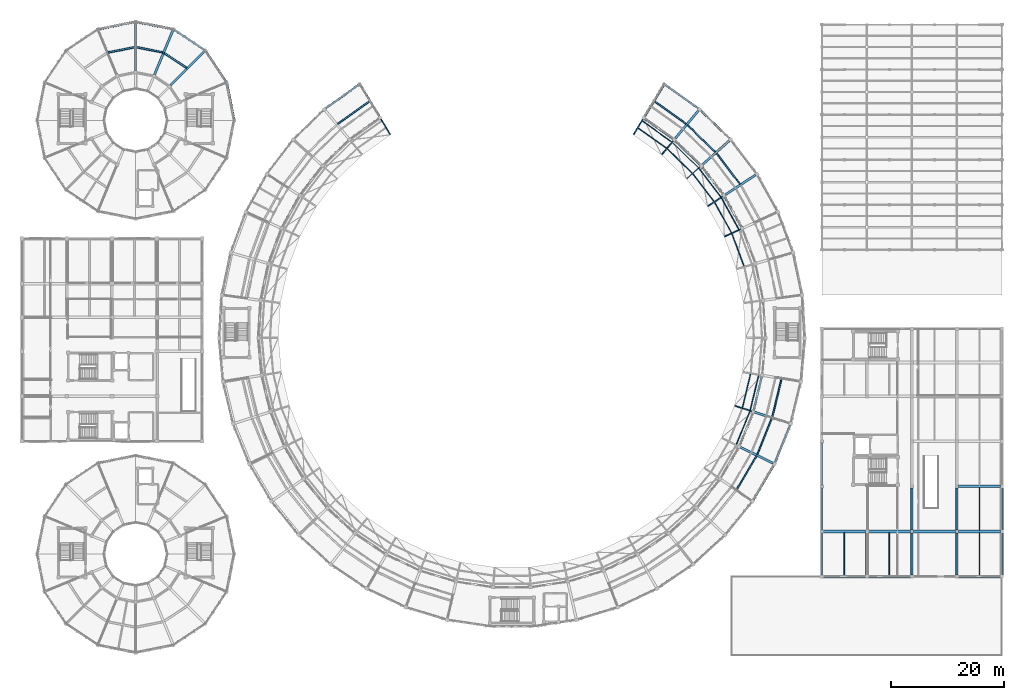
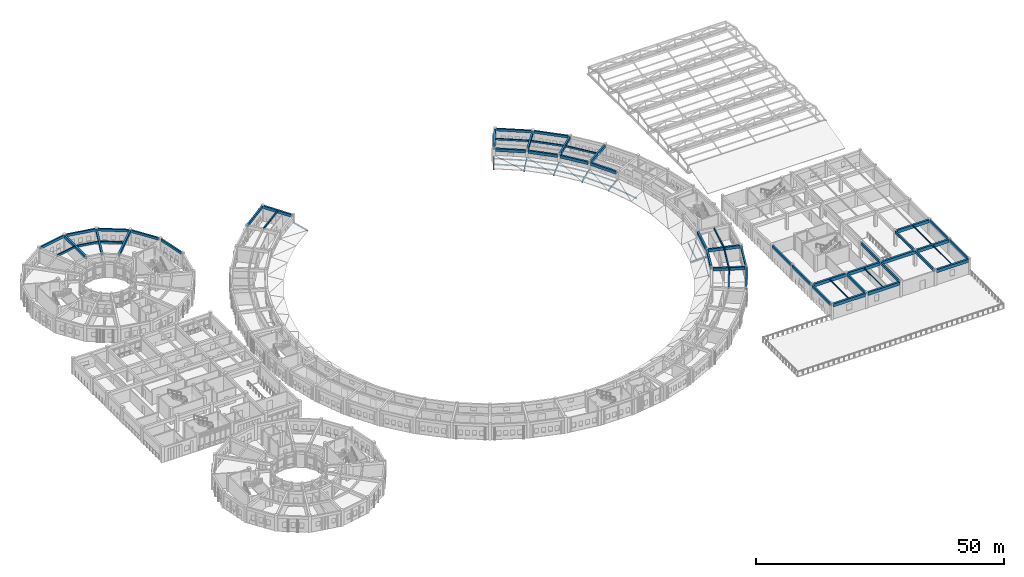
# One storey, part 35 of 112: 58 beams, 19 members.
"""IFC4 building model written with IfcOpenShell, lengths in metres."""

from ifc_helpers import new_model, si_unit, direction, frame, origin, origin_2d, place, context, subcontext, project, spatial, rectangle, i_section, extrude, material, material_profile, profile_set, type_object, element, save


model = new_model("IFC4")

# Units and contexts
model_context = context("Model", 3, precision=1e-05, world=origin(), true_north=direction((0.0, 1.0)))
body_context = subcontext(model_context, "Body", "Model", "MODEL_VIEW")
ifc_project = project(units=[si_unit("LENGTHUNIT", "METRE"), si_unit("AREAUNIT", "SQUARE_METRE"), si_unit("VOLUMEUNIT", "CUBIC_METRE"), si_unit("PLANEANGLEUNIT", "RADIAN"), si_unit("MASSUNIT", "GRAM", prefix="KILO")], contexts=[model_context])

# Site, building, storey
site_placement = place(None, origin())
site = spatial("IfcSite", under=ifc_project, at=site_placement, CompositionType="ELEMENT")
building_placement = place(site_placement, origin())
building = spatial("IfcBuilding", under=site, at=building_placement, Name="Celadon Cloister-Ring School", CompositionType="ELEMENT")
storey_placement = place(building_placement, frame((0.0, 0.0, 8.5)))
storey = spatial("IfcBuildingStorey", under=building, at=storey_placement, Name="L02", CompositionType="ELEMENT", Elevation=8.5)

# Beams
ifc_material_1 = material(Name="Concrete C35/45", Category="concrete")
ifc_material_profile_1 = material_profile(ifc_material_1, rectangle(XDim=0.35009765625, YDim=0.60009765625, at=origin_2d()), Name="RC350X600")
ifc_profile_set_1 = profile_set([ifc_material_profile_1], Name="Concrete C35/45")
beam_type_1 = type_object("IfcBeamType", Name="BT-02", PredefinedType="BEAM", material=ifc_profile_set_1)
for number, where, z_axis, x_axis, name in (
    (1, (142.0, 16.25, 3.4599609375), (0.0, 1.0, 0.0), (-1.0, 0.0, 0.0), "Beam 1400"),
    (2, (142.0, 24.25, 3.4599609375), (0.0, 1.0, 0.0), (-1.0, 0.0, 0.0), "Beam 1401"),
    (3, (142.0, 32.25, 3.4599609375), (0.0, 1.0, 0.0), (-1.0, 0.0, 0.0), "Beam 1402"),
    (4, (150.0, 16.25, 3.4599609375), (0.0, 1.0, 0.0), (-1.0, 0.0, 0.0), "Beam 1406"),
    (5, (158.0, 16.25, 3.4599609375), (0.0, 1.0, 0.0), (-1.0, 0.0, 0.0), "Beam 1408"),
    (6, (158.0, 24.25, 3.4599609375), (0.0, 1.0, 0.0), (-1.0, 0.0, 0.0), "Beam 1409"),
    (7, (166.0, 16.25, 3.4599609375), (0.0, 1.0, 0.0), (-1.0, 0.0, 0.0), "Beam 1414"),
    (8, (166.0, 24.25, 3.4599609375), (0.0, 1.0, 0.0), (-1.0, 0.0, 0.0), "Beam 1415"),
    (9, (174.0, 16.25, 3.4599609375), (0.0, 1.0, 0.0), (-1.0, 0.0, 0.0), "Beam 1420"),
    (10, (174.0, 24.25, 3.4599609375), (0.0, 1.0, 0.0), (-1.0, 0.0, 0.0), "Beam 1421"),
):
    element("IfcBeam", number, at=place(storey_placement, frame(where, z_axis=z_axis, x_axis=x_axis)), inside=storey, type_object=beam_type_1, Name=name, PredefinedType="BEAM", context=body_context, shape_type="SweptSolid", body=[
        extrude(rectangle(XDim=0.35009765625, YDim=0.60009765625, at=origin_2d()), origin(), (0.0, 0.0, 1.0), 7.5),
    ])
ifc_material_2 = material(Name="Concrete C35/45", Category="concrete")
ifc_material_profile_2 = material_profile(ifc_material_2, rectangle(XDim=0.449951171875, YDim=0.75, at=origin_2d()), Name="RC450X750")
ifc_profile_set_2 = profile_set([ifc_material_profile_2], Name="Concrete C35/45")
beam_type_2 = type_object("IfcBeamType", Name="GT-02", PredefinedType="USERDEFINED", material=ifc_profile_set_2)
for number, where, z_axis, x_axis, name in (
    (11, (142.25, 16.0, 3.385009765625), (1.0, 0.0, 0.0), (0.0, 1.0, 0.0), "Beam 1380"),
    (12, (150.25, 16.0, 3.385009765625), (1.0, 0.0, 0.0), (0.0, 1.0, 0.0), "Beam 1381"),
    (13, (166.25, 16.0, 3.385009765625), (1.0, 0.0, 0.0), (0.0, 1.0, 0.0), "Beam 1382"),
    (14, (142.25, 24.0, 3.385009765625), (1.0, 0.0, 0.0), (0.0, 1.0, 0.0), "Beam 1383"),
    (15, (150.25, 24.0, 3.385009765625), (1.0, 0.0, 0.0), (0.0, 1.0, 0.0), "Beam 1384"),
    (16, (158.25, 24.0, 3.385009765625), (1.0, 0.0, 0.0), (0.0, 1.0, 0.0), "Beam 1385"),
    (17, (166.25, 24.0, 3.385009765625), (1.0, 0.0, 0.0), (0.0, 1.0, 0.0), "Beam 1386"),
    (18, (166.25, 32.0, 3.385009765625), (1.0, 0.0, 0.0), (0.0, 1.0, 0.0), "Beam 1387"),
):
    element("IfcBeam", number, at=place(storey_placement, frame(where, z_axis=z_axis, x_axis=x_axis)), inside=storey, type_object=beam_type_2, Name=name, ObjectType="GIRDER", PredefinedType="USERDEFINED", context=body_context, shape_type="SweptSolid", body=[
        extrude(rectangle(XDim=0.449951171875, YDim=0.75, at=origin_2d()), origin(), (0.0, 0.0, 1.0), 7.5),
    ])
ifc_material_3 = material(Name="Concrete C35/45", Category="concrete")
ifc_material_profile_3 = material_profile(ifc_material_3, rectangle(XDim=0.39990234375, YDim=0.699951171875, at=origin_2d()), Name="RC400X700")
ifc_profile_set_3 = profile_set([ifc_material_profile_3], Name="Concrete C35/45")
beam_type_3 = type_object("IfcBeamType", Name="GT-03", PredefinedType="USERDEFINED", material=ifc_profile_set_3)
beam_1_placement = place(storey_placement, frame((60.112060546875, 103.18701171875, 3.449951171875), z_axis=(0.519864405464, -0.85424879276, 0.0), x_axis=(0.85424879276, 0.519864405464, 0.0)))
element("IfcBeam", 19, at=beam_1_placement, inside=storey, type_object=beam_type_3, Name="Beam 0397", ObjectType="GIRDER", PredefinedType="USERDEFINED", context=body_context, shape_type="SweptSolid", body=[
    extrude(rectangle(XDim=0.39990234375, YDim=0.699951171875, at=origin_2d()), origin(), (0.0, 0.0, 1.0), 6.474609375),
])
beam_2_placement = place(storey_placement, frame((133.3779296875, 36.09912109375, 3.449951171875), z_axis=(-0.896670978235, 0.442697590676, 0.0), x_axis=(-0.442697590676, -0.896670978235, 0.0)))
element("IfcBeam", 20, at=beam_2_placement, inside=storey, type_object=beam_type_3, Name="Beam 0419", ObjectType="GIRDER", PredefinedType="USERDEFINED", context=body_context, shape_type="SweptSolid", body=[
    extrude(rectangle(XDim=0.39990234375, YDim=0.699951171875, at=origin_2d()), origin(), (0.0, 0.0, 1.0), 6.473876953125),
])
beam_3_placement = place(storey_placement, frame((136.2529296875, 43.201904296875, 3.449951171875), z_axis=(-0.952190069452, 0.305506254661, 0.0), x_axis=(-0.305506254661, -0.952190069452, 0.0)))
element("IfcBeam", 21, at=beam_3_placement, inside=storey, type_object=beam_type_3, Name="Beam 0420", ObjectType="GIRDER", PredefinedType="USERDEFINED", context=body_context, shape_type="SweptSolid", body=[
    extrude(rectangle(XDim=0.39990234375, YDim=0.699951171875, at=origin_2d()), origin(), (0.0, 0.0, 1.0), 6.474609375),
])
beam_4_placement = place(storey_placement, frame((130.285888671875, 87.31591796875, 3.449951171875), z_axis=(-0.836913813129, -0.547334695953, 0.0), x_axis=(0.547334695953, -0.836913813129, 0.0)))
element("IfcBeam", 22, at=beam_4_placement, inside=storey, type_object=beam_type_3, Name="Beam 0425", ObjectType="GIRDER", PredefinedType="USERDEFINED", context=body_context, shape_type="SweptSolid", body=[
    extrude(rectangle(XDim=0.39990234375, YDim=0.699951171875, at=origin_2d()), origin(), (0.0, 0.0, 1.0), 6.474853515625),
])
beam_5_placement = place(storey_placement, frame((125.626953125, 93.40087890625, 3.449951171875), z_axis=(-0.746707851449, -0.665152151455, 0.0), x_axis=(0.665152151455, -0.746707851449, 0.0)))
element("IfcBeam", 23, at=beam_5_placement, inside=storey, type_object=beam_type_3, Name="Beam 0426", ObjectType="GIRDER", PredefinedType="USERDEFINED", context=body_context, shape_type="SweptSolid", body=[
    extrude(rectangle(XDim=0.39990234375, YDim=0.699951171875, at=origin_2d()), origin(), (0.0, 0.0, 1.0), 6.47509765625),
])
for number, where, z_axis, x_axis, name in (
    (24, (120.12109375, 98.72998046875, 3.449951171875), (-0.640358705807, -0.768075990965, 0.0), (0.768075990965, -0.640358705807, 0.0), "Beam 0427"),
    (25, (113.887939453125, 103.18701171875, 3.449951171875), (-0.519864405464, -0.85424879276, 0.0), (0.85424879276, -0.519864405464, 0.0), "Beam 0428"),
):
    element("IfcBeam", number, at=place(storey_placement, frame(where, z_axis=z_axis, x_axis=x_axis)), inside=storey, type_object=beam_type_3, Name=name, ObjectType="GIRDER", PredefinedType="USERDEFINED", context=body_context, shape_type="SweptSolid", body=[
        extrude(rectangle(XDim=0.39990234375, YDim=0.699951171875, at=origin_2d()), origin(), (0.0, 0.0, 1.0), 6.474609375),
    ])
for number, where, z_axis, x_axis, name in (
    (26, (127.443115234375, 39.30810546875, 3.449951171875), (0.375114995273, 0.926978284709, 0.0), (-0.926978284709, 0.375114995273, 0.0), "Beam 0497"),
    (27, (129.908935546875, 45.4990234375, 3.449951171875), (0.233889575607, 0.972263167266, 0.0), (-0.972263167266, 0.233889575607, 0.0), "Beam 0500"),
    (28, (127.762939453125, 78.02001953125, 3.449951171875), (-0.483920761049, 0.875111819727, 0.0), (-0.875111819727, -0.483920761049, 0.0), "Beam 0513"),
):
    element("IfcBeam", number, at=place(storey_placement, frame(where, z_axis=z_axis, x_axis=x_axis)), inside=storey, type_object=beam_type_3, Name=name, ObjectType="GIRDER", PredefinedType="USERDEFINED", context=body_context, shape_type="SweptSolid", body=[
        extrude(rectangle(XDim=0.39990234375, YDim=0.699951171875, at=origin_2d()), origin(), (0.0, 0.0, 1.0), 6.166015625),
    ])
beam_6_placement = place(storey_placement, frame((124.506103515625, 83.8330078125, 3.449951171875), z_axis=(-0.607887885185, 0.794022870606, 0.0), x_axis=(-0.794022870606, -0.607887885185, 0.0)))
element("IfcBeam", 29, at=beam_6_placement, inside=storey, type_object=beam_type_3, Name="Beam 0516", ObjectType="GIRDER", PredefinedType="USERDEFINED", context=body_context, shape_type="SweptSolid", body=[
    extrude(rectangle(XDim=0.39990234375, YDim=0.699951171875, at=origin_2d()), origin(), (0.0, 0.0, 1.0), 6.167236328125),
])
beam_7_placement = place(storey_placement, frame((120.425048828125, 89.10205078125, 3.449951171875), z_axis=(-0.718437447035, 0.695591571756, 0.0), x_axis=(-0.695591571756, -0.718437447035, 0.0)))
element("IfcBeam", 30, at=beam_7_placement, inside=storey, type_object=beam_type_3, Name="Beam 0519", ObjectType="GIRDER", PredefinedType="USERDEFINED", context=body_context, shape_type="SweptSolid", body=[
    extrude(rectangle(XDim=0.39990234375, YDim=0.699951171875, at=origin_2d()), origin(), (0.0, 0.0, 1.0), 6.166015625),
])
beam_8_placement = place(storey_placement, frame((115.612060546875, 93.7099609375, 3.449951171875), z_axis=(-0.813463245268, 0.58161632422, 0.0), x_axis=(-0.58161632422, -0.813463245268, 0.0)))
element("IfcBeam", 31, at=beam_8_placement, inside=storey, type_object=beam_type_3, Name="Beam 0522", ObjectType="GIRDER", PredefinedType="USERDEFINED", context=body_context, shape_type="SweptSolid", body=[
    extrude(rectangle(XDim=0.39990234375, YDim=0.699951171875, at=origin_2d()), origin(), (0.0, 0.0, 1.0), 6.16748046875),
])
beam_9_placement = place(storey_placement, frame((32.3798828125, 109.179931640625, 3.429931640625), z_axis=(-0.707106781187, -0.707106781187, 0.0), x_axis=(0.707106781187, -0.707106781187, 0.0)))
element("IfcBeam", 32, at=beam_9_placement, inside=storey, type_object=beam_type_3, Name="Beam 0735", ObjectType="GIRDER", PredefinedType="USERDEFINED", context=body_context, shape_type="SweptSolid", body=[
    extrude(rectangle(XDim=0.39990234375, YDim=0.699951171875, at=origin_2d()), origin(), (0.0, 0.0, 1.0), 8.475341796875),
])
for number, where, z_axis, x_axis, name in (
    (33, (26.7919921875, 112.9140625, 3.429931640625), (-0.382642680076, -0.923896411609, 0.0), (0.923896411609, -0.382642680076, 0.0), "Beam 0737"),
    (34, (20.199951171875, 114.22509765625, 3.429931640625), (0.0, -1.0, 0.0), (1.0, 0.0, 0.0), "Beam 0739"),
):
    element("IfcBeam", number, at=place(storey_placement, frame(where, z_axis=z_axis, x_axis=x_axis)), inside=storey, type_object=beam_type_3, Name=name, ObjectType="GIRDER", PredefinedType="USERDEFINED", context=body_context, shape_type="SweptSolid", body=[
        extrude(rectangle(XDim=0.39990234375, YDim=0.699951171875, at=origin_2d()), origin(), (0.0, 0.0, 1.0), 8.47509765625),
    ])
ifc_material_4 = material(Name="Concrete C35/45", Category="concrete")
ifc_material_profile_4 = material_profile(ifc_material_4, rectangle(XDim=0.300048828125, YDim=0.449951171875, at=origin_2d()), Name="RC300X450")
ifc_profile_set_4 = profile_set([ifc_material_profile_4], Name="Concrete C35/45")
beam_type_4 = type_object("IfcBeamType", Name="JT-01", PredefinedType="JOIST", material=ifc_profile_set_4)
beam_10_placement = place(storey_placement, frame((29.24609375, 106.2890625, 3.554931640625), z_axis=(-0.831333623542, 0.55577370068, 0.0), x_axis=(-0.55577370068, -0.831333623542, 0.0)))
element("IfcBeam", 35, at=beam_10_placement, inside=storey, type_object=beam_type_4, Name="Beam 0766", PredefinedType="JOIST", context=body_context, shape_type="SweptSolid", body=[
    extrude(rectangle(XDim=0.300048828125, YDim=0.449951171875, at=origin_2d()), origin(), (0.0, 0.0, 1.0), 4.721435546875),
])
beam_11_placement = place(storey_placement, frame((25.0029296875, 109.0439453125, 3.554931640625), z_axis=(-0.980745387492, 0.195290770169, 0.0), x_axis=(-0.195290770169, -0.980745387492, 0.0)))
element("IfcBeam", 36, at=beam_11_placement, inside=storey, type_object=beam_type_4, Name="Beam 0770", PredefinedType="JOIST", context=body_context, shape_type="SweptSolid", body=[
    extrude(rectangle(XDim=0.300048828125, YDim=0.449951171875, at=origin_2d()), origin(), (0.0, 0.0, 1.0), 4.7216796875),
])
beam_12_placement = place(storey_placement, frame((20.028076171875, 109.966064453125, 3.554931640625), z_axis=(-0.980747359302, -0.195280867525, 0.0), x_axis=(0.195280867525, -0.980747359302, 0.0)))
element("IfcBeam", 37, at=beam_12_placement, inside=storey, type_object=beam_type_4, Name="Beam 0774", PredefinedType="JOIST", context=body_context, shape_type="SweptSolid", body=[
    extrude(rectangle(XDim=0.300048828125, YDim=0.449951171875, at=origin_2d()), origin(), (0.0, 0.0, 1.0), 4.721923828125),
])
ifc_material_5 = material(Name="Concrete C35/45", Category="concrete")
ifc_material_profile_5 = material_profile(ifc_material_5, rectangle(XDim=0.25, YDim=0.39990234375, at=origin_2d()), Name="RC250X400")
ifc_profile_set_5 = profile_set([ifc_material_profile_5], Name="Concrete C35/45")
beam_type_5 = type_object("IfcBeamType", Name="JT-02", PredefinedType="JOIST", material=ifc_profile_set_5)
beam_13_placement = place(storey_placement, frame((61.64697265625, 100.330078125, 3.60009765625), z_axis=(-0.813530711364, -0.581521952868, 0.0), x_axis=(0.581521952868, -0.813530711364, 0.0)))
element("IfcBeam", 38, at=beam_13_placement, inside=storey, type_object=beam_type_5, Name="Beam 0431", PredefinedType="JOIST", context=body_context, shape_type="SweptSolid", body=[
    extrude(rectangle(XDim=0.25, YDim=0.39990234375, at=origin_2d()), origin(), (0.0, 0.0, 1.0), 6.835693359375),
])
beam_14_placement = place(storey_placement, frame((126.926025390625, 31.488037109375, 3.60009765625), z_axis=(0.507998611561, 0.861357887671, 0.0), x_axis=(-0.861357887671, 0.507998611561, 0.0)))
element("IfcBeam", 39, at=beam_14_placement, inside=storey, type_object=beam_type_5, Name="Beam 0495", PredefinedType="JOIST", context=body_context, shape_type="SweptSolid", body=[
    extrude(rectangle(XDim=0.25, YDim=0.39990234375, at=origin_2d()), origin(), (0.0, 0.0, 1.0), 6.83447265625),
])
beam_15_placement = place(storey_placement, frame((130.552978515625, 37.68798828125, 3.60009765625), z_axis=(0.374947237953, 0.927046152439, 0.0), x_axis=(-0.927046152439, 0.374947237953, 0.0)))
element("IfcBeam", 40, at=beam_15_placement, inside=storey, type_object=beam_type_5, Name="Beam 0498", PredefinedType="JOIST", context=body_context, shape_type="SweptSolid", body=[
    extrude(rectangle(XDim=0.25, YDim=0.39990234375, at=origin_2d()), origin(), (0.0, 0.0, 1.0), 6.835693359375),
])
beam_16_placement = place(storey_placement, frame((133.222900390625, 44.35693359375, 3.60009765625), z_axis=(0.234105107491, 0.972211293211, 0.0), x_axis=(-0.972211293211, 0.234105107491, 0.0)))
element("IfcBeam", 41, at=beam_16_placement, inside=storey, type_object=beam_type_5, Name="Beam 0501", PredefinedType="JOIST", context=body_context, shape_type="SweptSolid", body=[
    extrude(rectangle(XDim=0.25, YDim=0.39990234375, at=origin_2d()), origin(), (0.0, 0.0, 1.0), 6.8349609375),
])
beam_17_placement = place(storey_placement, frame((127.48095703125, 85.68994140625, 3.60009765625), z_axis=(-0.607998808463, 0.793937937692, 0.0), x_axis=(-0.793937937692, -0.607998808463, 0.0)))
element("IfcBeam", 42, at=beam_17_placement, inside=storey, type_object=beam_type_5, Name="Beam 0517", PredefinedType="JOIST", context=body_context, shape_type="SweptSolid", body=[
    extrude(rectangle(XDim=0.25, YDim=0.39990234375, at=origin_2d()), origin(), (0.0, 0.0, 1.0), 6.83544921875),
])
beam_18_placement = place(storey_placement, frame((123.093017578125, 91.3779296875, 3.60009765625), z_axis=(-0.718568166396, 0.695456533683, 0.0), x_axis=(-0.695456533683, -0.718568166396, 0.0)))
element("IfcBeam", 43, at=beam_18_placement, inside=storey, type_object=beam_type_5, Name="Beam 0520", PredefinedType="JOIST", context=body_context, shape_type="SweptSolid", body=[
    extrude(rectangle(XDim=0.25, YDim=0.39990234375, at=origin_2d()), origin(), (0.0, 0.0, 1.0), 6.834716796875),
])
beam_19_placement = place(storey_placement, frame((117.9140625, 96.35498046875, 3.60009765625), z_axis=(-0.813530711364, 0.581521952868, 0.0), x_axis=(-0.581521952868, -0.813530711364, 0.0)))
element("IfcBeam", 44, at=beam_19_placement, inside=storey, type_object=beam_type_5, Name="Beam 0523", PredefinedType="JOIST", context=body_context, shape_type="SweptSolid", body=[
    extrude(rectangle(XDim=0.25, YDim=0.39990234375, at=origin_2d()), origin(), (0.0, 0.0, 1.0), 6.835693359375),
])
ifc_material_6 = material(Name="Structural steel S355JR", Category="steel")
ifc_material_profile_6 = material_profile(ifc_material_6, i_section(OverallWidth=0.14599609375, OverallDepth=0.258056640625, WebThickness=0.006103515625, FlangeThickness=0.009033203125, at=origin_2d()), Name="W250X33")
ifc_profile_set_6 = profile_set([ifc_material_profile_6], Name="Structural steel S355JR")
beam_type_6 = type_object("IfcBeamType", Name="JT-04", PredefinedType="JOIST", material=ifc_profile_set_6)
for number, where, z_axis, x_axis, name in (
    (45, (146.0, 16.199951171875, 3.631103515625), (0.0, 1.0, 0.0), (-1.0, 0.0, 0.0), "Beam 1426"),
    (46, (154.0, 16.199951171875, 3.631103515625), (0.0, 1.0, 0.0), (-1.0, 0.0, 0.0), "Beam 1428"),
    (47, (170.0, 16.199951171875, 3.631103515625), (0.0, 1.0, 0.0), (-1.0, 0.0, 0.0), "Beam 1433"),
    (48, (170.0, 24.199951171875, 3.631103515625), (0.0, 1.0, 0.0), (-1.0, 0.0, 0.0), "Beam 1434"),
):
    element("IfcBeam", number, at=place(storey_placement, frame(where, z_axis=z_axis, x_axis=x_axis)), inside=storey, type_object=beam_type_6, Name=name, PredefinedType="JOIST", context=body_context, shape_type="SweptSolid", body=[
        extrude(i_section(OverallWidth=0.14599609375, OverallDepth=0.258056640625, WebThickness=0.006103515625, FlangeThickness=0.009033203125, at=origin_2d()), origin(), (0.0, 0.0, 1.0), 7.60009765625),
    ])

# Members
ifc_material_7 = material(Name="Structural steel S355JR", Category="steel")
ifc_material_profile_7 = material_profile(ifc_material_7, i_section(OverallWidth=0.133056640625, OverallDepth=0.20703125, WebThickness=0.005859375, FlangeThickness=0.00830078125, at=origin_2d()), Name="W200X27")
ifc_profile_set_7 = profile_set([ifc_material_profile_7], Name="Structural steel S355JR")
member_type_1 = type_object("IfcMemberType", Name="MP-04", PredefinedType="PURLIN", material=ifc_profile_set_7)
member_1_placement = place(storey_placement, frame((126.81103515625, 39.342041015625, 1.62890625), z_axis=(0.375093275843, 0.92698707349, 0.0), x_axis=(-0.92698707349, 0.375093275843, 0.0)))
element("IfcMember", 49, at=member_1_placement, inside=storey, type_object=member_type_1, Name="Structural Member 0204", PredefinedType="PURLIN", context=body_context, shape_type="SweptSolid", body=[
    extrude(i_section(OverallWidth=0.133056640625, OverallDepth=0.20703125, WebThickness=0.005859375, FlangeThickness=0.00830078125, at=origin_2d()), origin(), (0.0, 0.0, 1.0), 6.5771484375),
])
member_2_placement = place(storey_placement, frame((127.89794921875, 45.882080078125, 1.23291015625), z_axis=(0.234021599775, 0.972231397785, 0.0), x_axis=(-0.972231397785, 0.234021599775, 0.0)))
element("IfcMember", 50, at=member_2_placement, inside=storey, type_object=member_type_1, Name="Structural Member 0209", PredefinedType="PURLIN", context=body_context, shape_type="SweptSolid", body=[
    extrude(i_section(OverallWidth=0.133056640625, OverallDepth=0.20703125, WebThickness=0.005859375, FlangeThickness=0.00830078125, at=origin_2d()), origin(), (0.0, 0.0, 1.0), 6.36279296875),
])
member_3_placement = place(storey_placement, frame((129.278076171875, 45.43896484375, 1.62890625), z_axis=(0.234125302045, 0.97220643021, 0.0), x_axis=(-0.97220643021, 0.234125302045, 0.0)))
element("IfcMember", 51, at=member_3_placement, inside=storey, type_object=member_type_1, Name="Structural Member 0210", PredefinedType="PURLIN", context=body_context, shape_type="SweptSolid", body=[
    extrude(i_section(OverallWidth=0.133056640625, OverallDepth=0.20703125, WebThickness=0.005859375, FlangeThickness=0.00830078125, at=origin_2d()), origin(), (0.0, 0.0, 1.0), 6.577880859375),
])
for number, where, z_axis, x_axis, name in (
    (52, (128.2451171875, 70.98291015625, 1.23291015625), (-0.349377881864, 0.936981907864, 0.0), (-0.936981907864, -0.349377881864, 0.0), "Structural Member 0229"),
    (53, (126.02197265625, 76.945068359375, 1.23291015625), (-0.484058884886, 0.875035425547, 0.0), (-0.875035425547, -0.484058884886, 0.0), "Structural Member 0235"),
):
    element("IfcMember", number, at=place(storey_placement, frame(where, z_axis=z_axis, x_axis=x_axis)), inside=storey, type_object=member_type_1, Name=name, PredefinedType="PURLIN", context=body_context, shape_type="SweptSolid", body=[
        extrude(i_section(OverallWidth=0.133056640625, OverallDepth=0.20703125, WebThickness=0.005859375, FlangeThickness=0.00830078125, at=origin_2d()), origin(), (0.0, 0.0, 1.0), 6.363037109375),
    ])
member_4_placement = place(storey_placement, frame((127.339111328125, 77.550048828125, 1.62890625), z_axis=(-0.483883617115, 0.875132358611, 0.0), x_axis=(-0.875132358611, -0.483883617115, 0.0)))
element("IfcMember", 54, at=member_4_placement, inside=storey, type_object=member_type_1, Name="Structural Member 0236", PredefinedType="PURLIN", context=body_context, shape_type="SweptSolid", body=[
    extrude(i_section(OverallWidth=0.133056640625, OverallDepth=0.20703125, WebThickness=0.005859375, FlangeThickness=0.00830078125, at=origin_2d()), origin(), (0.0, 0.0, 1.0), 6.578125),
])
member_5_placement = place(storey_placement, frame((122.94189453125, 82.512939453125, 1.23291015625), z_axis=(-0.607908612819, 0.794007001519, 0.0), x_axis=(-0.794007001519, -0.607908612819, 0.0)))
element("IfcMember", 55, at=member_5_placement, inside=storey, type_object=member_type_1, Name="Structural Member 0240", PredefinedType="PURLIN", context=body_context, shape_type="SweptSolid", body=[
    extrude(i_section(OverallWidth=0.133056640625, OverallDepth=0.20703125, WebThickness=0.005859375, FlangeThickness=0.00830078125, at=origin_2d()), origin(), (0.0, 0.0, 1.0), 6.362548828125),
])
member_6_placement = place(storey_placement, frame((124.156005859375, 83.306884765625, 1.62890625), z_axis=(-0.607987283215, 0.793946763612, 0.0), x_axis=(-0.793946763612, -0.607987283215, 0.0)))
element("IfcMember", 56, at=member_6_placement, inside=storey, type_object=member_type_1, Name="Structural Member 0241", PredefinedType="PURLIN", context=body_context, shape_type="SweptSolid", body=[
    extrude(i_section(OverallWidth=0.133056640625, OverallDepth=0.20703125, WebThickness=0.005859375, FlangeThickness=0.00830078125, at=origin_2d()), origin(), (0.0, 0.0, 1.0), 6.577392578125),
])
member_7_placement = place(storey_placement, frame((119.073974609375, 87.56494140625, 1.23291015625), z_axis=(-0.71856193518, 0.695462971919, 0.0), x_axis=(-0.695462971919, -0.71856193518, 0.0)))
element("IfcMember", 57, at=member_7_placement, inside=storey, type_object=member_type_1, Name="Structural Member 0245", PredefinedType="PURLIN", context=body_context, shape_type="SweptSolid", body=[
    extrude(i_section(OverallWidth=0.133056640625, OverallDepth=0.20703125, WebThickness=0.005859375, FlangeThickness=0.00830078125, at=origin_2d()), origin(), (0.0, 0.0, 1.0), 6.36279296875),
])
member_8_placement = place(storey_placement, frame((120.156982421875, 88.529052734375, 1.62890625), z_axis=(-0.718572826018, 0.695451719179, 0.0), x_axis=(-0.695451719179, -0.718572826018, 0.0)))
element("IfcMember", 58, at=member_8_placement, inside=storey, type_object=member_type_1, Name="Structural Member 0246", PredefinedType="PURLIN", context=body_context, shape_type="SweptSolid", body=[
    extrude(i_section(OverallWidth=0.133056640625, OverallDepth=0.20703125, WebThickness=0.005859375, FlangeThickness=0.00830078125, at=origin_2d()), origin(), (0.0, 0.0, 1.0), 6.578369140625),
])
member_9_placement = place(storey_placement, frame((114.501953125, 91.989990234375, 1.23291015625), z_axis=(-0.813453389474, 0.581630108534, 0.0), x_axis=(-0.581630108534, -0.813453389474, 0.0)))
element("IfcMember", 59, at=member_9_placement, inside=storey, type_object=member_type_1, Name="Structural Member 0250", PredefinedType="PURLIN", context=body_context, shape_type="SweptSolid", body=[
    extrude(i_section(OverallWidth=0.133056640625, OverallDepth=0.20703125, WebThickness=0.005859375, FlangeThickness=0.00830078125, at=origin_2d()), origin(), (0.0, 0.0, 1.0), 6.363037109375),
])
member_10_placement = place(storey_placement, frame((115.429931640625, 93.10400390625, 1.62890625), z_axis=(-0.813402272309, 0.581701593089, 0.0), x_axis=(-0.581701593089, -0.813402272309, 0.0)))
element("IfcMember", 60, at=member_10_placement, inside=storey, type_object=member_type_1, Name="Structural Member 0251", PredefinedType="PURLIN", context=body_context, shape_type="SweptSolid", body=[
    extrude(i_section(OverallWidth=0.133056640625, OverallDepth=0.20703125, WebThickness=0.005859375, FlangeThickness=0.00830078125, at=origin_2d()), origin(), (0.0, 0.0, 1.0), 6.5771484375),
])
ifc_material_8 = material(Name="Structural steel S355JR", Category="steel")
ifc_material_profile_8 = material_profile(ifc_material_8, i_section(OverallWidth=0.14599609375, OverallDepth=0.258056640625, WebThickness=0.006103515625, FlangeThickness=0.009033203125, at=origin_2d()), Name="W250X33")
ifc_profile_set_8 = profile_set([ifc_material_profile_8], Name="Structural steel S355JR")
member_type_2 = type_object("IfcMemberType", Name="MR-06", PredefinedType="RAFTER", material=ifc_profile_set_8)
member_11_placement = place(storey_placement, frame((65.3759765625, 94.5380859375, 0.9130859375), z_axis=(-0.502250890694, 0.825141547402, 0.258622252615), x_axis=(-0.854202777123, -0.519940011497, 0.0)))
element("IfcMember", 61, at=member_11_placement, inside=storey, type_object=member_type_2, Name="Structural Member 0001", PredefinedType="RAFTER", context=body_context, shape_type="SweptSolid", body=[
    extrude(i_section(OverallWidth=0.14599609375, OverallDepth=0.258056640625, WebThickness=0.006103515625, FlangeThickness=0.009033203125, at=origin_2d()), origin(), (0.0, 0.0, 1.0), 3.46826171875),
])
member_12_placement = place(storey_placement, frame((126.612060546875, 46.2939453125, 0.912109375), z_axis=(0.919833588762, -0.294971891697, 0.258645997636), x_axis=(0.305362720103, 0.952236109991, 0.0)))
element("IfcMember", 62, at=member_12_placement, inside=storey, type_object=member_type_2, Name="Structural Member 0053", PredefinedType="RAFTER", context=body_context, shape_type="SweptSolid", body=[
    extrude(i_section(OverallWidth=0.14599609375, OverallDepth=0.258056640625, WebThickness=0.006103515625, FlangeThickness=0.009033203125, at=origin_2d()), origin(), (0.0, 0.0, 1.0), 3.468017578125),
])
member_13_placement = place(storey_placement, frame((124.794921875, 76.381103515625, 0.912109375), z_axis=(0.877734894887, 0.403353993721, 0.258625230878), x_axis=(-0.417560341125, 0.908649196071, 0.0)))
element("IfcMember", 63, at=member_13_placement, inside=storey, type_object=member_type_2, Name="Structural Member 0063", PredefinedType="RAFTER", context=body_context, shape_type="SweptSolid", body=[
    extrude(i_section(OverallWidth=0.14599609375, OverallDepth=0.258056640625, WebThickness=0.006103515625, FlangeThickness=0.009033203125, at=origin_2d()), origin(), (0.0, 0.0, 1.0), 3.46826171875),
])
member_14_placement = place(storey_placement, frame((121.81298828125, 81.77392578125, 0.9130859375), z_axis=(0.808317147024, 0.52888062089, 0.258667119429), x_axis=(-0.547514441681, 0.836796233351, 0.0)))
element("IfcMember", 64, at=member_14_placement, inside=storey, type_object=member_type_2, Name="Structural Member 0065", PredefinedType="RAFTER", context=body_context, shape_type="SweptSolid", body=[
    extrude(i_section(OverallWidth=0.14599609375, OverallDepth=0.258056640625, WebThickness=0.006103515625, FlangeThickness=0.009033203125, at=origin_2d()), origin(), (0.0, 0.0, 1.0), 3.4677734375),
])
member_15_placement = place(storey_placement, frame((118.06591796875, 86.6669921875, 0.912109375), z_axis=(0.72143120561, 0.642382786847, 0.25861432817), x_axis=(-0.665005849073, 0.746838148931, 0.0)))
element("IfcMember", 65, at=member_15_placement, inside=storey, type_object=member_type_2, Name="Structural Member 0067", PredefinedType="RAFTER", context=body_context, shape_type="SweptSolid", body=[
    extrude(i_section(OverallWidth=0.14599609375, OverallDepth=0.258056640625, WebThickness=0.006103515625, FlangeThickness=0.009033203125, at=origin_2d()), origin(), (0.0, 0.0, 1.0), 3.46826171875),
])
member_16_placement = place(storey_placement, frame((113.636962890625, 90.952880859375, 0.9130859375), z_axis=(0.618718209788, 0.741828351872, 0.258608726139), x_axis=(-0.767952437677, 0.640506872301, 0.0)))
element("IfcMember", 66, at=member_16_placement, inside=storey, type_object=member_type_2, Name="Structural Member 0069", PredefinedType="RAFTER", context=body_context, shape_type="SweptSolid", body=[
    extrude(i_section(OverallWidth=0.14599609375, OverallDepth=0.258056640625, WebThickness=0.006103515625, FlangeThickness=0.009033203125, at=origin_2d()), origin(), (0.0, 0.0, 1.0), 3.468505859375),
])
member_17_placement = place(storey_placement, frame((108.6240234375, 94.5380859375, 0.9130859375), z_axis=(0.502250890694, 0.825141547402, 0.258622252615), x_axis=(-0.854202777123, 0.519940011497, 0.0)))
element("IfcMember", 67, at=member_17_placement, inside=storey, type_object=member_type_2, Name="Structural Member 0071", PredefinedType="RAFTER", context=body_context, shape_type="SweptSolid", body=[
    extrude(i_section(OverallWidth=0.14599609375, OverallDepth=0.258056640625, WebThickness=0.006103515625, FlangeThickness=0.009033203125, at=origin_2d()), origin(), (0.0, 0.0, 1.0), 3.46826171875),
])

# Beams
ifc_material_9 = material(Name="Concrete C35/45", Category="concrete")
ifc_material_profile_9 = material_profile(ifc_material_9, rectangle(XDim=0.35009765625, YDim=0.60009765625, at=origin_2d()), Name="RC350X600")
ifc_profile_set_9 = profile_set([ifc_material_profile_9], Name="Concrete C35/45")
beam_type_7 = type_object("IfcBeamType", Name="SP-01", PredefinedType="SPANDREL", material=ifc_profile_set_9)
beam_20_placement = place(storey_placement, frame((59.7451171875, 103.261962890625, 3.5), z_axis=(-0.813396628372, -0.581709485013, 0.0), x_axis=(0.581709485013, -0.813396628372, 0.0)))
element("IfcBeam", 68, at=beam_20_placement, inside=storey, type_object=beam_type_7, Name="Beam 0429", PredefinedType="SPANDREL", context=body_context, shape_type="SweptSolid", body=[
    extrude(rectangle(XDim=0.35009765625, YDim=0.60009765625, at=origin_2d()), origin(), (0.0, 0.0, 1.0), 7.15283203125),
])
beam_21_placement = place(storey_placement, frame((129.85205078125, 29.577880859375, 3.5), z_axis=(0.507880480168, 0.861427546498, 0.0), x_axis=(-0.861427546498, 0.507880480168, 0.0)))
element("IfcBeam", 69, at=beam_21_placement, inside=storey, type_object=beam_type_7, Name="Beam 0493", PredefinedType="SPANDREL", context=body_context, shape_type="SweptSolid", body=[
    extrude(rectangle(XDim=0.35009765625, YDim=0.60009765625, at=origin_2d()), origin(), (0.0, 0.0, 1.0), 7.1533203125),
])
beam_22_placement = place(storey_placement, frame((133.72802734375, 36.23193359375, 3.5), z_axis=(0.37520043771, 0.926943704624, 0.0), x_axis=(-0.926943704624, 0.37520043771, 0.0)))
element("IfcBeam", 70, at=beam_22_placement, inside=storey, type_object=beam_type_7, Name="Beam 0496", PredefinedType="SPANDREL", context=body_context, shape_type="SweptSolid", body=[
    extrude(rectangle(XDim=0.35009765625, YDim=0.60009765625, at=origin_2d()), origin(), (0.0, 0.0, 1.0), 7.15380859375),
])
beam_23_placement = place(storey_placement, frame((125.634033203125, 93.77490234375, 3.5), z_axis=(-0.718465669268, 0.695562421414, 0.0), x_axis=(-0.695562421414, -0.718465669268, 0.0)))
element("IfcBeam", 71, at=beam_23_placement, inside=storey, type_object=beam_type_7, Name="Beam 0518", PredefinedType="SPANDREL", context=body_context, shape_type="SweptSolid", body=[
    extrude(rectangle(XDim=0.35009765625, YDim=0.60009765625, at=origin_2d()), origin(), (0.0, 0.0, 1.0), 7.152587890625),
])
beam_24_placement = place(storey_placement, frame((120.072998046875, 99.10107421875, 3.5), z_axis=(-0.813396628372, 0.581709485013, 0.0), x_axis=(-0.581709485013, -0.813396628372, 0.0)))
element("IfcBeam", 72, at=beam_24_placement, inside=storey, type_object=beam_type_7, Name="Beam 0521", PredefinedType="SPANDREL", context=body_context, shape_type="SweptSolid", body=[
    extrude(rectangle(XDim=0.35009765625, YDim=0.60009765625, at=origin_2d()), origin(), (0.0, 0.0, 1.0), 7.15283203125),
])
for number, where, z_axis, x_axis, name in (
    (73, (37.64599609375, 97.27001953125, 3.47998046875), (-0.194964206518, 0.980810357907, 0.0), (-0.980810357907, -0.194964206518, 0.0), "Beam 0758"),
    (74, (36.215087890625, 103.926025390625, 3.47998046875), (-0.555660177561, 0.831409506244, 0.0), (-0.831409506244, -0.555660177561, 0.0), "Beam 0760"),
):
    element("IfcBeam", number, at=place(storey_placement, frame(where, z_axis=z_axis, x_axis=x_axis)), inside=storey, type_object=beam_type_7, Name=name, PredefinedType="SPANDREL", context=body_context, shape_type="SweptSolid", body=[
        extrude(rectangle(XDim=0.35009765625, YDim=0.60009765625, at=origin_2d()), origin(), (0.0, 0.0, 1.0), 6.27734375),
    ])
beam_25_placement = place(storey_placement, frame((32.344970703125, 109.527099609375, 3.47998046875), z_axis=(-0.831427473898, 0.555633292422, 0.0), x_axis=(-0.555633292422, -0.831427473898, 0.0)))
element("IfcBeam", 75, at=beam_25_placement, inside=storey, type_object=beam_type_7, Name="Beam 0763", PredefinedType="SPANDREL", context=body_context, shape_type="SweptSolid", body=[
    extrude(rectangle(XDim=0.35009765625, YDim=0.60009765625, at=origin_2d()), origin(), (0.0, 0.0, 1.0), 6.277099609375),
])
for number, where, z_axis, x_axis, name in (
    (76, (26.626953125, 113.221923828125, 3.47998046875), (-0.980802920261, 0.195001619501, 0.0), (-0.195001619501, -0.980802920261, 0.0), "Beam 0767"),
    (77, (19.929931640625, 114.446044921875, 3.47998046875), (-0.980802920261, -0.195001619501, 0.0), (0.195001619501, -0.980802920261, 0.0), "Beam 0771"),
):
    element("IfcBeam", number, at=place(storey_placement, frame(where, z_axis=z_axis, x_axis=x_axis)), inside=storey, type_object=beam_type_7, Name=name, PredefinedType="SPANDREL", context=body_context, shape_type="SweptSolid", body=[
        extrude(rectangle(XDim=0.35009765625, YDim=0.60009765625, at=origin_2d()), origin(), (0.0, 0.0, 1.0), 6.277587890625),
    ])

save(model, "model.ifc")
